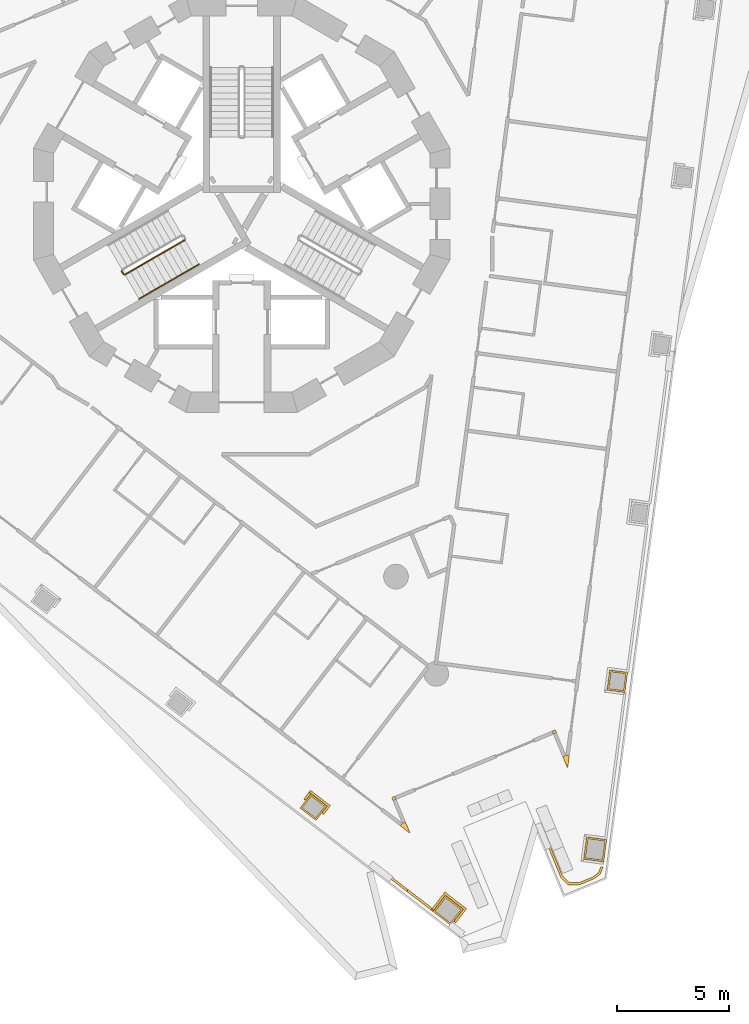
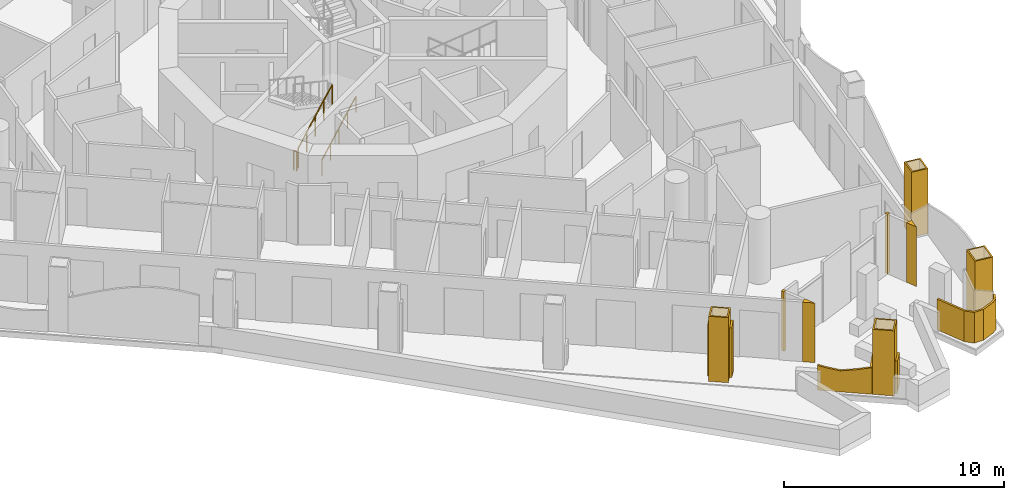
# One storey, part 13 of 19: 8 coverings, 7 railings.
"""IFC4 building model written with IfcOpenShell, lengths in metres."""

from ifc_helpers import new_model, si_unit, direction, frame, origin, origin_2d, place, context, subcontext, project, spatial, polyline, circle, outline, extrude, material, layer, layer_set, type_object, element, save


model = new_model("IFC4")

# Units and contexts
model_context = context("Model", 3, precision=1e-05, world=origin(), true_north=direction((0.0, 1.0)))
body_context = subcontext(model_context, "Body", "Model", "MODEL_VIEW")
ifc_project = project(units=[si_unit("LENGTHUNIT", "METRE"), si_unit("AREAUNIT", "SQUARE_METRE"), si_unit("VOLUMEUNIT", "CUBIC_METRE"), si_unit("PLANEANGLEUNIT", "RADIAN"), si_unit("MASSUNIT", "GRAM", prefix="KILO")], contexts=[model_context])

# Site, building, storey
site_placement = place(None, origin())
site = spatial("IfcSite", under=ifc_project, at=site_placement, CompositionType="ELEMENT")
building_placement = place(site_placement, origin())
building = spatial("IfcBuilding", under=site, at=building_placement, Name="Trine Commons Tower", CompositionType="ELEMENT")
storey_placement = place(building_placement, frame((0.0, 0.0, 124.199951171875)))
storey = spatial("IfcBuildingStorey", under=building, at=storey_placement, Name="L31", CompositionType="ELEMENT", Elevation=124.199951171875)

# Coverings
ifc_material_1 = material(Name="Aluminium-framed insulated wall panel", Category="aluminium")
ifc_layer_1 = layer(ifc_material_1, 0.14990234375)
ifc_layer_set_1 = layer_set([ifc_layer_1], Name="Aluminium-framed insulated wall panel")
covering_type_1 = type_object("IfcCoveringType", Name="Glazing corner post, aluminium", PredefinedType="CLADDING", material=ifc_layer_set_1)
covering_1_placement = place(storey_placement, origin())
element("IfcCovering", 1, at=covering_1_placement, inside=storey, type_object=covering_type_1, Name="Glazing corner post 4-09", PredefinedType="CLADDING", context=body_context, shape_type="SweptSolid", body=[
    extrude(outline(polyline([(94.2939453125, 37.89501953125), (94.50830078125, 37.377685546875), (94.581298828125, 37.932861328125), (94.4326171875, 37.952392578125), (94.4326171875, 37.952392578125), (94.2939453125, 37.89501953125)])), origin(), (0.0, 0.0, 1.0), 3.300048828125),
])
covering_2_placement = place(storey_placement, origin())
element("IfcCovering", 2, at=covering_2_placement, inside=storey, type_object=covering_type_1, Name="Glazing corner post 4-10", PredefinedType="CLADDING", context=body_context, shape_type="SweptSolid", body=[
    extrude(outline(polyline([(93.821044921875, 39.03662109375), (93.87841796875, 38.89794921875), (93.87841796875, 38.89794921875), (94.01708984375, 38.955322265625), (93.959716796875, 39.093994140625), (93.821044921875, 39.03662109375)])), origin(), (0.0, 0.0, 1.0), 3.300048828125),
])
covering_3_placement = place(storey_placement, origin())
element("IfcCovering", 3, at=covering_3_placement, inside=storey, type_object=covering_type_1, Name="Glazing corner post 4-11", PredefinedType="CLADDING", context=body_context, shape_type="SweptSolid", body=[
    extrude(outline(polyline([(86.73681640625, 35.93994140625), (86.87548828125, 35.997314453125), (86.818115234375, 36.135986328125), (86.679443359375, 36.07861328125), (86.73681640625, 35.93994140625)])), origin(), (0.0, 0.0, 1.0), 3.300048828125),
])
covering_4_placement = place(storey_placement, origin())
element("IfcCovering", 4, at=covering_4_placement, inside=storey, type_object=covering_type_1, Name="Glazing corner post 4-12", PredefinedType="CLADDING", context=body_context, shape_type="SweptSolid", body=[
    extrude(outline(polyline([(87.06103515625, 34.81787109375), (87.505126953125, 34.47705078125), (87.291015625, 34.994140625), (87.15234375, 34.936767578125), (87.06103515625, 34.81787109375)])), origin(), (0.0, 0.0, 1.0), 3.300048828125),
])
ifc_material_2 = material(Name="Limestone, honed", Category="masonry")
ifc_layer_2 = layer(ifc_material_2, 0.074951171875)
ifc_layer_set_2 = layer_set([ifc_layer_2], Name="Limestone, honed")
covering_type_2 = type_object("IfcCoveringType", Name="Limestone column cladding 75", PredefinedType="CLADDING", material=ifc_layer_set_2)
covering_5_placement = place(storey_placement, origin())
element("IfcCovering", 5, at=covering_5_placement, inside=storey, type_object=covering_type_2, Name="Limestone pier cladding 4-01", PredefinedType="CLADDING", context=body_context, shape_type="SweptSolid", body=[
    extrude(outline(polyline([(89.065673828125, 31.716796875), (88.517578125, 31.002685546875), (89.31103515625, 30.39404296875), (89.85888671875, 31.10791015625), (89.065673828125, 31.716796875)]), holes=[polyline([(89.079345703125, 31.611572265625), (88.622802734375, 31.0166015625), (89.297119140625, 30.499267578125), (89.75390625, 31.09423828125), (89.079345703125, 31.611572265625)])]), origin(), (0.0, 0.0, 1.0), 3.60009765625),
])
covering_6_placement = place(storey_placement, origin())
element("IfcCovering", 6, at=covering_6_placement, inside=storey, type_object=covering_type_2, Name="Limestone pier cladding 4-02", PredefinedType="CLADDING", context=body_context, shape_type="SweptSolid", body=[
    extrude(outline(polyline([(83.08349609375, 36.243896484375), (82.596435546875, 35.609375), (83.310302734375, 35.061279296875), (83.79736328125, 35.696044921875), (83.08349609375, 36.243896484375)]), holes=[polyline([(83.09716796875, 36.138916015625), (82.701416015625, 35.623046875), (83.296630859375, 35.16650390625), (83.6923828125, 35.682373046875), (83.09716796875, 36.138916015625)])]), origin(), (0.0, 0.0, 1.0), 3.60009765625),
])
covering_7_placement = place(storey_placement, origin())
element("IfcCovering", 7, at=covering_7_placement, inside=storey, type_object=covering_type_2, Name="Limestone pier cladding 4-23", PredefinedType="CLADDING", context=body_context, shape_type="SweptSolid", body=[
    extrude(outline(polyline([(97.1787109375, 41.6494140625), (96.385498046875, 41.75390625), (96.26806640625, 40.86181640625), (97.06103515625, 40.757080078125), (97.1787109375, 41.6494140625)]), holes=[polyline([(97.094482421875, 41.5849609375), (96.449951171875, 41.669921875), (96.35205078125, 40.92626953125), (96.99658203125, 40.84130859375), (97.094482421875, 41.5849609375)])]), origin(), (0.0, 0.0, 1.0), 3.60009765625),
])
covering_8_placement = place(storey_placement, origin())
element("IfcCovering", 8, at=covering_8_placement, inside=storey, type_object=covering_type_2, Name="Limestone pier cladding 4-24", PredefinedType="CLADDING", context=body_context, shape_type="SweptSolid", body=[
    extrude(outline(polyline([(96.2490234375, 34.205078125), (95.356689453125, 34.32275390625), (95.226318359375, 33.331298828125), (96.118408203125, 33.213623046875), (96.2490234375, 34.205078125)]), holes=[polyline([(96.164794921875, 34.140625), (95.42138671875, 34.238525390625), (95.310302734375, 33.395751953125), (96.053955078125, 33.2978515625), (96.164794921875, 34.140625)])]), origin(), (0.0, 0.0, 1.0), 3.60009765625),
])

# Railings
ifc_material_3 = material(Name="Stainless steel balustrade", Category="steel")
railing_type_1 = type_object("IfcRailingType", Name="Stair guard, steel balustrade 1100", PredefinedType="GUARDRAIL", material=ifc_material_3)
railing_1_placement = place(storey_placement, frame((74.80517578125, 59.3564453125, 0.150146484375)))
element("IfcRailing", 9, at=railing_1_placement, inside=storey, type_object=railing_type_1, Name="L31 ST2B stair guard 1", PredefinedType="GUARDRAIL", context=body_context, shape_type="SweptSolid", body=[
    extrude(circle(Radius=0.02392578125, at=origin_2d()), frame((0.0, 0.0, 1.076171875), z_axis=(0.76340495495, 0.440743040072, 0.472184759798), x_axis=(-0.499992328818, 0.866029832698, 0.0)), (0.0, 0.0, 1.0), 3.494140625),
    extrude(circle(Radius=0.02099609375, at=origin_2d()), origin(), (0.0, 0.0, 1.0), 1.052001953125),
    extrude(circle(Radius=0.02099609375, at=origin_2d()), frame((0.6669921875, 0.385009765625, 0.41259765625)), (0.0, 0.0, 1.0), 1.052001953125),
    extrude(circle(Radius=0.02099609375, at=origin_2d()), frame((1.333740234375, 0.77001953125, 0.824951171875)), (0.0, 0.0, 1.0), 1.052001953125),
    extrude(circle(Radius=0.02099609375, at=origin_2d()), frame((2.00048828125, 1.155029296875, 1.2373046875)), (0.0, 0.0, 1.0), 1.052001953125),
    extrude(circle(Radius=0.02099609375, at=origin_2d()), frame((2.66748046875, 1.5400390625, 1.64990234375)), (0.0, 0.0, 1.0), 1.052001953125),
])
railing_2_placement = place(storey_placement, frame((74.73681640625, 59.374755859375, 0.0)))
element("IfcRailing", 10, at=railing_2_placement, inside=storey, type_object=railing_type_1, Name="L31 ST2B stair guard 4", PredefinedType="GUARDRAIL", context=body_context, shape_type="SweptSolid", body=[
    extrude(circle(Radius=0.02392578125, at=origin_2d()), frame((0.0, 0.0, 1.076171875), z_axis=(-0.499816412211, 0.866131372301, 0.0), x_axis=(-0.866131372301, -0.499816412211, 0.0)), (0.0, 0.0, 1.0), 0.14990234375),
    extrude(circle(Radius=0.02099609375, at=origin_2d()), origin(), (0.0, 0.0, 1.0), 1.052001953125),
    extrude(circle(Radius=0.02099609375, at=origin_2d()), frame((-0.074951171875, 0.1298828125, 0.0)), (0.0, 0.0, 1.0), 1.052001953125),
])
ifc_material_4 = material(Name="Stainless steel handrail", Category="steel")
railing_type_2 = type_object("IfcRailingType", Name="Stair handrail, steel 900", PredefinedType="HANDRAIL", material=ifc_material_4)
for number, where, name in (
    (11, (75.43017578125, 58.27392578125, 0.150146484375), "L31 ST2B stair handrail 1"),
    (12, (76.763916015625, 59.0439453125, 0.97509765625), "L31 ST2B stair handrail 2"),
):
    element("IfcRailing", number, at=place(storey_placement, frame(where)), inside=storey, type_object=railing_type_2, Name=name, PredefinedType="HANDRAIL", context=body_context, shape_type="SweptSolid", body=[
        extrude(circle(Radius=0.02099609375, at=origin_2d()), frame((0.0, 0.0, 0.87890625), z_axis=(0.76340495495, 0.440743040072, 0.472184759798), x_axis=(-0.499992328818, 0.866029832698, 0.0)), (0.0, 0.0, 1.0), 1.7470703125),
        extrude(circle(Radius=0.01513671875, at=origin_2d()), origin(), (0.0, 0.0, 1.0), 0.85791015625),
        extrude(circle(Radius=0.01513671875, at=origin_2d()), frame((0.6669921875, 0.385009765625, 0.41259765625)), (0.0, 0.0, 1.0), 0.85791015625),
        extrude(circle(Radius=0.01513671875, at=origin_2d()), frame((1.333740234375, 0.77001953125, 0.824951171875)), (0.0, 0.0, 1.0), 0.85791015625),
    ])
ifc_material_5 = material(Name="White powder-coated aluminium", Category="aluminium")
ifc_layer_3 = layer(ifc_material_5, 0.10009765625)
ifc_layer_set_3 = layer_set([ifc_layer_3], Name="White powder-coated aluminium")
railing_type_3 = type_object("IfcRailingType", Name="White balustrade band 100", PredefinedType="GUARDRAIL", material=ifc_layer_set_3)
railing_3_placement = place(storey_placement, origin())
element("IfcRailing", 13, at=railing_3_placement, inside=storey, type_object=railing_type_3, Name="Guard band L31", PredefinedType="GUARDRAIL", context=body_context, shape_type="SweptSolid", body=[
    extrude(outline(polyline([(0.0, 0.0), (0.490478515625, 0.0), (0.49072265625, 2.840087890625), (0.49072265625, 2.840087890625), (0.010009765625, 2.762451171875), (0.0, 2.76025390625), (0.0, 0.0)])), frame((83.573974609375, 35.388671875, 0.0), z_axis=(0.793381997862, -0.608724079915, 0.0), x_axis=(0.608724079915, 0.793381997862, 0.0)), (0.0, 0.0, 1.0), 0.10009765625),
    extrude(outline(polyline([(0.0, 0.0), (1.12109375, 0.0), (1.121337890625, 2.899169921875), (1.015380859375, 2.900146484375), (0.560791015625, 2.885009765625), (0.0, 2.826171875), (0.0, 0.0)])), frame((83.89111328125, 35.63671875, 0.0), z_axis=(0.608605239752, 0.793473164099, 0.0), x_axis=(-0.793473164099, 0.608605239752, 0.0)), (0.0, 0.0, 1.0), 0.10009765625),
    extrude(outline(polyline([(0.0, 0.0), (0.49072265625, 0.0), (0.490478515625, 2.78125), (0.480712890625, 2.780029296875), (0.0, 2.900146484375), (0.0, 0.0)])), frame((83.142822265625, 36.337890625, 0.0), z_axis=(-0.793566320119, 0.608483767715, 0.0), x_axis=(-0.608483767715, -0.793566320119, 0.0)), (0.0, 0.0, 1.0), 0.10009765625),
])
railing_4_placement = place(storey_placement, origin())
element("IfcRailing", 14, at=railing_4_placement, inside=storey, type_object=railing_type_3, Name="Guard band L31 20", PredefinedType="GUARDRAIL", context=body_context, shape_type="SweptSolid", body=[
    extrude(outline(polyline([(0.0, 0.0), (0.33203125, 0.0), (0.332275390625, 1.699951171875), (0.0, 1.709228515625), (0.0, 0.0)])), frame((96.086669921875, 32.971923828125, 0.0), z_axis=(-0.924052651737, 0.382265217902, 0.0), x_axis=(-0.382265217902, -0.924052651737, 0.0)), (0.0, 0.0, 1.0), 0.10009765625),
    extrude(outline(polyline([(0.0, 0.0), (0.33251953125, 0.0), (0.33251953125, 1.699951171875), (0.0, 1.699951171875), (0.0, 0.0)])), frame((95.9609375, 32.666259765625, 0.0), z_axis=(-0.608539413145, 0.79352364971, 0.0), x_axis=(-0.79352364971, -0.608539413145, 0.0)), (0.0, 0.0, 1.0), 0.10009765625),
    extrude(outline(polyline([(0.0, 0.0), (0.720458984375, 0.0), (0.72021484375, 1.699951171875), (0.0, 1.699951171875), (0.0, 0.0)])), frame((95.6982421875, 32.46484375, 0.0), z_axis=(-0.382641146634, 0.923897046701, 0.0), x_axis=(-0.923897046701, -0.382641146634, 0.0)), (0.0, 0.0, 1.0), 0.10009765625),
    extrude(outline(polyline([(0.0, 0.0), (0.49169921875, 0.0), (0.49169921875, 1.699951171875), (0.0, 1.699951171875), (0.0, 0.0)])), frame((95.0341796875, 32.189453125, 0.0), z_axis=(0.0, 1.0, 0.0), x_axis=(-1.0, 0.0, 0.0)), (0.0, 0.0, 1.0), 0.10009765625),
    extrude(outline(polyline([(0.0, 0.0), (0.491943359375, 0.0), (0.491943359375, 1.699951171875), (0.0, 1.699951171875), (0.0, 0.0)])), frame((94.544189453125, 32.18896484375, 0.0), z_axis=(0.707354932341, 0.706858542915, 0.0), x_axis=(-0.706858542915, 0.707354932341, 0.0)), (0.0, 0.0, 1.0), 0.10009765625),
    extrude(outline(polyline([(0.0, 0.0), (1.537841796875, 0.0), (1.5380859375, 1.699951171875), (1.32861328125, 1.699951171875), (0.8525390625, 1.699951171875), (0.664306640625, 1.699951171875), (0.0, 1.699951171875), (0.0, 0.0)])), frame((94.19775390625, 32.53515625, 0.0), z_axis=(0.923920102876, 0.382585472153, 0.0), x_axis=(-0.382585472153, 0.923920102876, 0.0)), (0.0, 0.0, 1.0), 0.10009765625),
])
railing_5_placement = place(storey_placement, origin())
element("IfcRailing", 15, at=railing_5_placement, inside=storey, type_object=railing_type_3, Name="Guard band L31 21", PredefinedType="GUARDRAIL", context=body_context, shape_type="SweptSolid", body=[
    extrude(outline(polyline([(0.0, 0.0), (0.799560546875, 0.0), (0.79931640625, 1.699951171875), (0.79931640625, 1.699951171875), (0.29345703125, 1.699951171875), (0.0, 1.783447265625), (0.0, 0.0)])), frame((89.44775390625, 30.55615234375, 0.0), z_axis=(0.793281888038, -0.608854536085, 0.0), x_axis=(0.608854536085, 0.793281888038, 0.0)), (0.0, 0.0, 1.0), 0.10009765625),
    extrude(outline(polyline([(0.0, 0.0), (1.22119140625, 0.0), (1.22119140625, 1.699951171875), (0.610595703125, 1.699951171875), (0.0, 1.699951171875), (0.0, 0.0)])), frame((89.95263671875, 31.048583984375, 0.0), z_axis=(0.60879244933, 0.793329536598, 0.0), x_axis=(-0.793329536598, 0.60879244933, 0.0)), (0.0, 0.0, 1.0), 0.10009765625),
    extrude(outline(polyline([(0.0, 0.0), (1.01171875, 0.0), (1.01171875, 1.4375), (0.505859375, 1.65673828125), (0.0, 1.699951171875), (0.0, 0.0)])), frame((89.125244140625, 31.810791015625, 0.0), z_axis=(-0.793349976743, 0.608765812446, 0.0), x_axis=(-0.608765812446, -0.793349976743, 0.0)), (0.0, 0.0, 1.0), 0.10009765625),
    extrude(outline(polyline([(0.0, 0.0), (2.503173828125, 0.0), (2.503173828125, 1.373046875), (2.194580078125, 1.292236328125), (1.463134765625, 1.16162109375), (0.7314453125, 1.28955078125), (0.537109375, 1.338134765625), (0.0, 1.472412109375), (0.0, 0.0)])), frame((88.510498046875, 31.008056640625, 0.0), z_axis=(0.60879594549, 0.793326853671, 0.0), x_axis=(-0.793326853671, 0.60879594549, 0.0)), (0.0, 0.0, 1.0), 0.10009765625),
])

save(model, "model.ifc")
